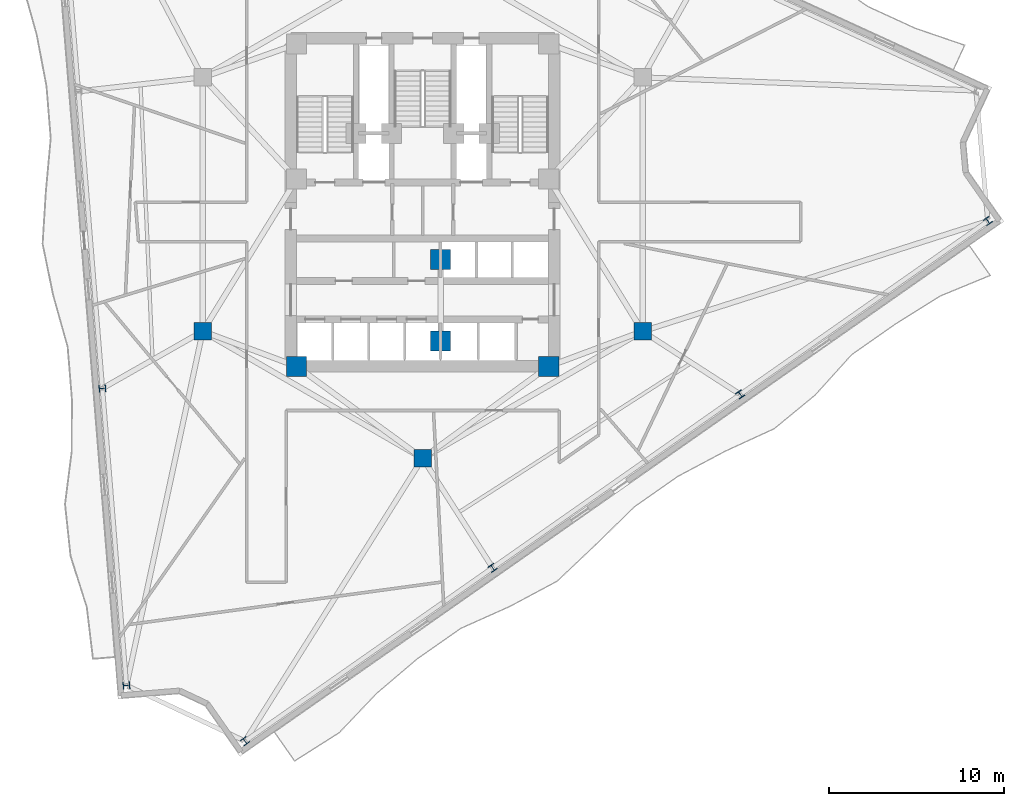
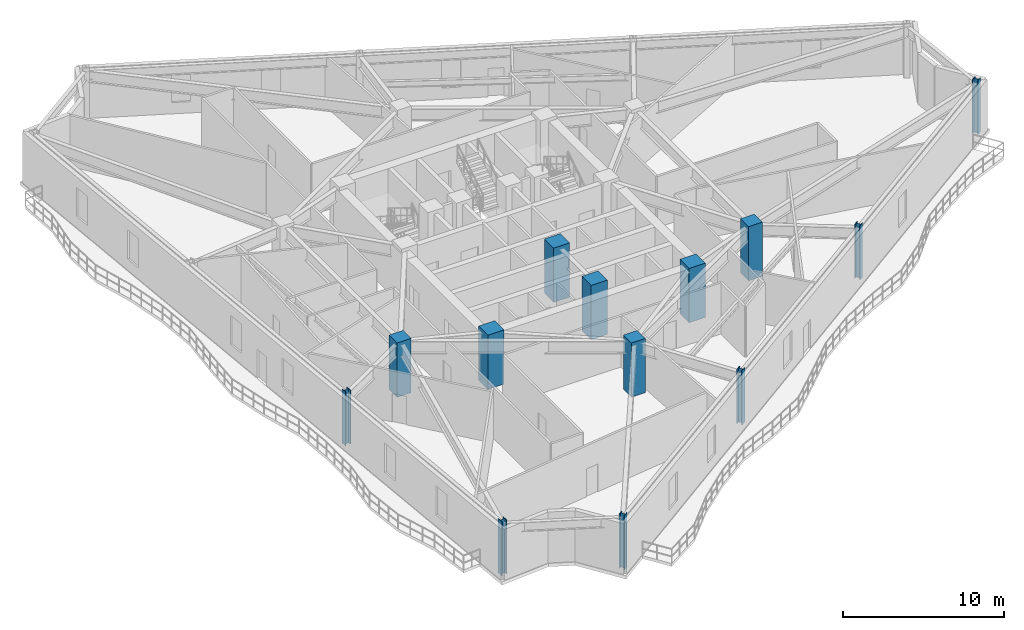
# One storey, part 1 of 12: 13 columns.
"""IFC4 building model written with IfcOpenShell, lengths in metres."""

from ifc_helpers import new_model, si_unit, direction, frame, origin, origin_2d, place, context, subcontext, project, spatial, rectangle, i_section, extrude, material, material_profile, profile_set, type_object, element, save


model = new_model("IFC4")

# Units and contexts
model_context = context("Model", 3, precision=1e-05, world=origin(), true_north=direction((0.0, 1.0)))
body_context = subcontext(model_context, "Body", "Model", "MODEL_VIEW")
ifc_project = project(units=[si_unit("LENGTHUNIT", "METRE"), si_unit("AREAUNIT", "SQUARE_METRE"), si_unit("VOLUMEUNIT", "CUBIC_METRE"), si_unit("PLANEANGLEUNIT", "RADIAN"), si_unit("MASSUNIT", "GRAM", prefix="KILO")], contexts=[model_context])

# Site, building, storey
site_placement = place(None, origin())
site = spatial("IfcSite", under=ifc_project, at=site_placement, CompositionType="ELEMENT")
building_placement = place(site_placement, origin())
building = spatial("IfcBuilding", under=site, at=building_placement, Name="Apsidion Concourse Tower", CompositionType="ELEMENT")
storey_placement = place(building_placement, frame((0.0, 0.0, 198.300048828125)))
storey = spatial("IfcBuildingStorey", under=building, at=storey_placement, Name="L46", CompositionType="ELEMENT", Elevation=198.300048828125)

# Columns
ifc_material_1 = material(Name="Concrete C50/60", Category="concrete")
ifc_material_profile_1 = material_profile(ifc_material_1, rectangle(XDim=1.0, YDim=1.0, at=origin_2d()), Name="RC 1000x1000")
ifc_profile_set_1 = profile_set([ifc_material_profile_1], Name="Concrete C50/60")
column_type_1 = type_object("IfcColumnType", Name="COL-RC-1000", PredefinedType="COLUMN", material=ifc_profile_set_1)
for number, where, z_axis, x_axis, name in (
    (1, (-12.56005859375, -7.25, 0.0), (0.0, 0.0, 1.0), (1.0, 0.0, 0.0), "L46 Interior Spine Column IC1"),
    (2, (12.56005859375, -7.25, 0.0), (0.0, 0.0, 1.0), (1.0, 0.0, 0.0), "L46 Interior Spine Column IC2"),
    (3, (0.0, -14.5, 0.0), (0.0, 0.0, 1.0), (1.0, 0.0, 0.0), "L46 Interior Spine Column IC6"),
):
    element("IfcColumn", number, at=place(storey_placement, frame(where, z_axis=z_axis, x_axis=x_axis)), inside=storey, type_object=column_type_1, Name=name, PredefinedType="COLUMN", context=body_context, shape_type="SweptSolid", body=[
        extrude(rectangle(XDim=1.0, YDim=1.0, at=origin_2d()), origin(), (0.0, 0.0, 1.0), 4.099853515625),
    ])
ifc_material_profile_2 = material_profile(ifc_material_1, rectangle(XDim=1.14990234375, YDim=1.14990234375, at=origin_2d()), Name="RC 1150x1150")
ifc_profile_set_2 = profile_set([ifc_material_profile_2], Name="Concrete C50/60")
column_type_2 = type_object("IfcColumnType", Name="COL-RC-1150", PredefinedType="COLUMN", material=ifc_profile_set_2)
for number, where, z_axis, x_axis, name in (
    (4, (-7.199951171875, -9.25, 0.0), (0.0, 0.0, 1.0), (1.0, 0.0, 0.0), "L46 Core Super-Column SC1"),
    (5, (7.199951171875, -9.25, 0.0), (0.0, 0.0, 1.0), (1.0, 0.0, 0.0), "L46 Core Super-Column SC2"),
    (6, (1.02490234375, -3.14990234375, 0.0), (0.0, 0.0, 1.0), (1.0, 0.0, 0.0), "L46 Core Super-Column CC5"),
    (7, (1.02490234375, -7.800048828125, 0.0), (0.0, 0.0, 1.0), (1.0, 0.0, 0.0), "L46 Core Super-Column CC6"),
):
    element("IfcColumn", number, at=place(storey_placement, frame(where, z_axis=z_axis, x_axis=x_axis)), inside=storey, type_object=column_type_2, Name=name, PredefinedType="COLUMN", context=body_context, shape_type="SweptSolid", body=[
        extrude(rectangle(XDim=1.14990234375, YDim=1.14990234375, at=origin_2d()), origin(), (0.0, 0.0, 1.0), 4.099853515625),
    ])
ifc_material_2 = material(Name="Structural steel ASTM A992 Grade 50", Category="steel")
ifc_material_profile_3 = material_profile(ifc_material_2, i_section(OverallWidth=0.39892578125, OverallDepth=0.385986328125, WebThickness=0.02099609375, FlangeThickness=0.033203125, at=origin_2d()), Name="W14X176")
ifc_profile_set_3 = profile_set([ifc_material_profile_3], Name="Structural steel ASTM A992 Grade 50")
column_type_3 = type_object("IfcColumnType", Name="COL-W14-176", PredefinedType="COLUMN", material=ifc_profile_set_3)
for number, where, z_axis, x_axis, name in (
    (8, (-18.28955078125, -10.510498046875, 0.0), (0.0, 0.0, 1.0), (-0.080720825512, 0.996736749763, 0.0), "L46 Rotated Perimeter Column PC03"),
    (9, (-16.915283203125, -27.47216796875, 0.0), (0.0, 0.0, 1.0), (-0.080720825512, 0.996736749763, 0.0), "L46 Rotated Perimeter Column PC04"),
    (10, (-10.14404296875, -30.65625, 0.0), (0.0, 0.0, 1.0), (0.819152044289, 0.573576436351, 0.0), "L46 Rotated Perimeter Column PC05"),
    (11, (3.996337890625, -20.755126953125, 0.0), (0.0, 0.0, 1.0), (0.819152044289, 0.573576436351, 0.0), "L46 Rotated Perimeter Column PC06"),
    (12, (18.13671875, -10.85400390625, 0.0), (0.0, 0.0, 1.0), (0.819152044289, 0.573576436351, 0.0), "L46 Rotated Perimeter Column PC07"),
    (13, (32.27685546875, -0.952880859375, 0.0), (0.0, 0.0, 1.0), (0.819152044289, 0.573576436351, 0.0), "L46 Rotated Perimeter Column PC08"),
):
    element("IfcColumn", number, at=place(storey_placement, frame(where, z_axis=z_axis, x_axis=x_axis)), inside=storey, type_object=column_type_3, Name=name, PredefinedType="COLUMN", context=body_context, shape_type="SweptSolid", body=[
        extrude(i_section(OverallWidth=0.39892578125, OverallDepth=0.385986328125, WebThickness=0.02099609375, FlangeThickness=0.033203125, at=origin_2d()), origin(), (0.0, 0.0, 1.0), 4.099853515625),
    ])

save(model, "model.ifc")
